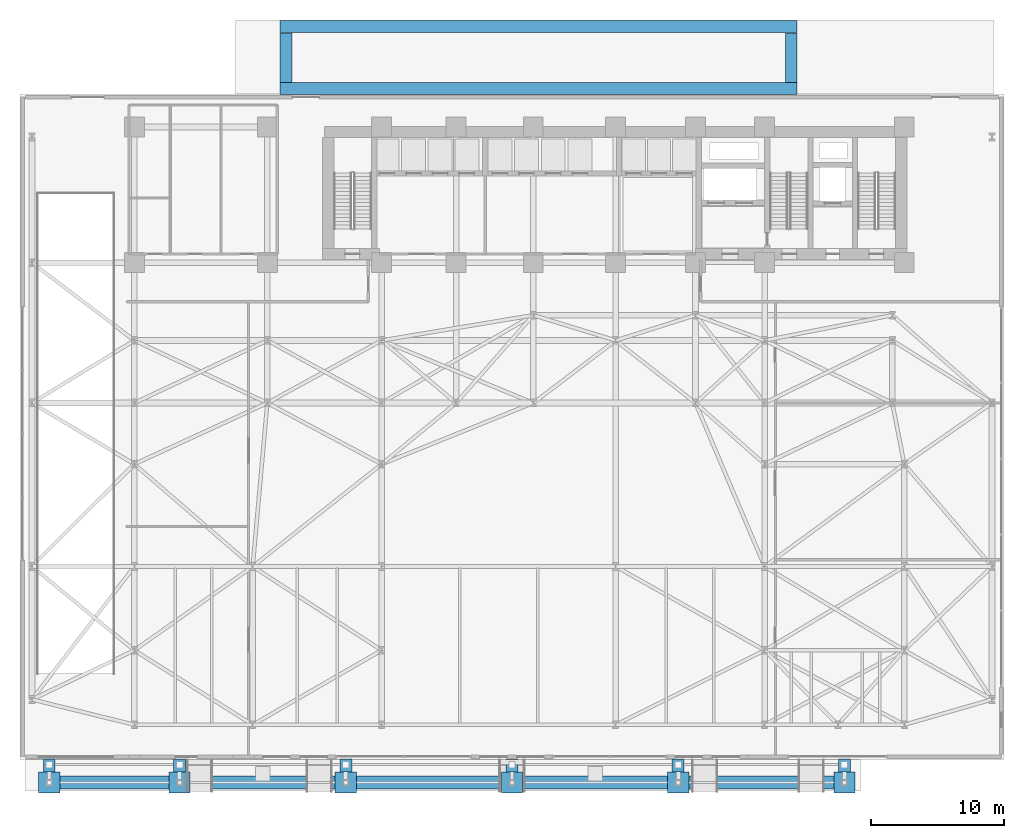
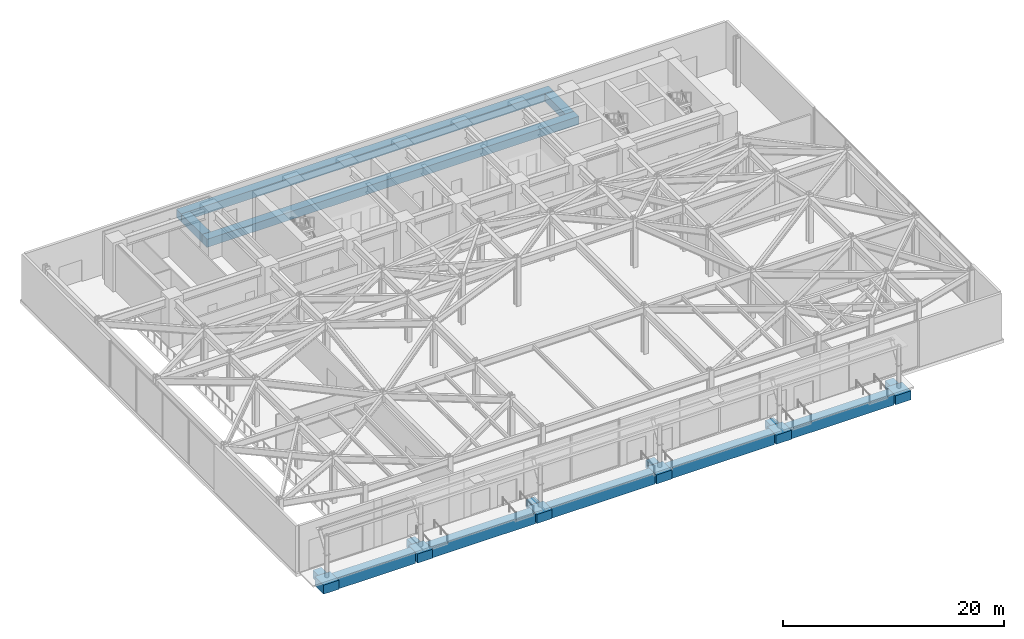
# One storey, part 1 of 31: 21 footings.
"""IFC4 building model written with IfcOpenShell, lengths in metres."""

from ifc_helpers import new_model, si_unit, direction, frame, origin, origin_2d, place, context, subcontext, project, spatial, polyline, rectangle, outline, extrude, material, layer, layer_set, material_profile, profile_set, type_object, element, save


model = new_model("IFC4")

# Units and contexts
model_context = context("Model", 3, precision=1e-05, world=origin(), true_north=direction((0.0, 1.0)))
body_context = subcontext(model_context, "Body", "Model", "MODEL_VIEW")
ifc_project = project(units=[si_unit("LENGTHUNIT", "METRE"), si_unit("AREAUNIT", "SQUARE_METRE"), si_unit("VOLUMEUNIT", "CUBIC_METRE"), si_unit("PLANEANGLEUNIT", "RADIAN"), si_unit("MASSUNIT", "GRAM", prefix="KILO")], contexts=[model_context])

# Site, building, storey
site_placement = place(None, origin())
site = spatial("IfcSite", under=ifc_project, at=site_placement, CompositionType="ELEMENT")
building_placement = place(site_placement, origin())
building = spatial("IfcBuilding", under=site, at=building_placement, Name="Kravanh Interchange Tower", CompositionType="ELEMENT")
storey_placement = place(building_placement, origin())
storey = spatial("IfcBuildingStorey", under=building, at=storey_placement, Name="L00", CompositionType="ELEMENT", Elevation=0.0)

# Footings
ifc_material_1 = material(Name="Concrete C60/75", Category="concrete")
ifc_layer = layer(ifc_material_1, 1.0)
ifc_layer_set = layer_set([ifc_layer], Name="Canopy Pad Footing Concrete C60/75 1600x1600x1000")
footing_type_1 = type_object("IfcFootingType", Name="Canopy Pad Footing Concrete C60/75 1600x1600x1000", PredefinedType="PAD_FOOTING", material=ifc_layer_set)
footing_1_placement = place(storey_placement, frame((0.0, 0.0, -1.199951171875)))
element("IfcFooting", 1, at=footing_1_placement, inside=storey, type_object=footing_type_1, Name="Transit Canopy Pad Footing 1", PredefinedType="PAD_FOOTING", context=body_context, shape_type="SweptSolid", body=[
    extrude(outline(polyline([(1.39990234375, -2.550048828125), (3.0, -2.550048828125), (3.0, -0.949951171875), (1.39990234375, -0.949951171875), (1.39990234375, -2.550048828125)])), origin(), (0.0, 0.0, 1.0), 1.0),
])
footing_2_placement = place(storey_placement, frame((0.0, 0.0, -1.199951171875)))
element("IfcFooting", 2, at=footing_2_placement, inside=storey, type_object=footing_type_1, Name="Transit Canopy Pad Footing 2", PredefinedType="PAD_FOOTING", context=body_context, shape_type="SweptSolid", body=[
    extrude(outline(polyline([(11.199951171875, -2.550048828125), (12.800048828125, -2.550048828125), (12.800048828125, -0.949951171875), (11.199951171875, -0.949951171875), (11.199951171875, -2.550048828125)])), origin(), (0.0, 0.0, 1.0), 1.0),
])
footing_3_placement = place(storey_placement, frame((0.0, 0.0, -1.199951171875)))
element("IfcFooting", 3, at=footing_3_placement, inside=storey, type_object=footing_type_1, Name="Transit Canopy Pad Footing 3", PredefinedType="PAD_FOOTING", context=body_context, shape_type="SweptSolid", body=[
    extrude(outline(polyline([(23.699951171875, -2.550048828125), (25.300048828125, -2.550048828125), (25.300048828125, -0.949951171875), (23.699951171875, -0.949951171875), (23.699951171875, -2.550048828125)])), origin(), (0.0, 0.0, 1.0), 1.0),
])
footing_4_placement = place(storey_placement, frame((0.0, 0.0, -1.199951171875)))
element("IfcFooting", 4, at=footing_4_placement, inside=storey, type_object=footing_type_1, Name="Transit Canopy Pad Footing 4", PredefinedType="PAD_FOOTING", context=body_context, shape_type="SweptSolid", body=[
    extrude(outline(polyline([(36.199951171875, -2.550048828125), (37.800048828125, -2.550048828125), (37.800048828125, -0.949951171875), (36.199951171875, -0.949951171875), (36.199951171875, -2.550048828125)])), origin(), (0.0, 0.0, 1.0), 1.0),
])
footing_5_placement = place(storey_placement, frame((0.0, 0.0, -1.199951171875)))
element("IfcFooting", 5, at=footing_5_placement, inside=storey, type_object=footing_type_1, Name="Transit Canopy Pad Footing 5", PredefinedType="PAD_FOOTING", context=body_context, shape_type="SweptSolid", body=[
    extrude(outline(polyline([(48.699951171875, -2.550048828125), (50.300048828125, -2.550048828125), (50.300048828125, -0.949951171875), (48.699951171875, -0.949951171875), (48.699951171875, -2.550048828125)])), origin(), (0.0, 0.0, 1.0), 1.0),
])
footing_6_placement = place(storey_placement, frame((0.0, 0.0, -1.199951171875)))
element("IfcFooting", 6, at=footing_6_placement, inside=storey, type_object=footing_type_1, Name="Transit Canopy Pad Footing 6", PredefinedType="PAD_FOOTING", context=body_context, shape_type="SweptSolid", body=[
    extrude(outline(polyline([(61.199951171875, -2.550048828125), (62.800048828125, -2.550048828125), (62.800048828125, -0.949951171875), (61.199951171875, -0.949951171875), (61.199951171875, -2.550048828125)])), origin(), (0.0, 0.0, 1.0), 1.0),
])
ifc_material_2 = material(Name="Concrete C60/75", Category="concrete")
ifc_material_profile_1 = material_profile(ifc_material_2, rectangle(XDim=0.89990234375, YDim=0.89990234375, at=origin_2d()), Name="RC900X900")
ifc_profile_set_1 = profile_set([ifc_material_profile_1], Name="Concrete C60/75")
footing_type_2 = type_object("IfcFootingType", Name="Canopy Tie Beam Concrete C60/75 900x900", PredefinedType="FOOTING_BEAM", material=ifc_profile_set_1)
footing_7_placement = place(storey_placement, frame((0.0, 0.0, -1.10009765625)))
element("IfcFooting", 7, at=footing_7_placement, inside=storey, type_object=footing_type_2, Name="Transit Canopy Tie Beam GBR-1", PredefinedType="FOOTING_BEAM", context=body_context, shape_type="SweptSolid", body=[
    extrude(outline(polyline([(1.75, -0.949951171875), (2.64990234375, -0.949951171875), (2.64990234375, 0.02001953125), (1.75, 0.02001953125), (1.75, -0.949951171875)])), origin(), (0.0, 0.0, 1.0), 0.900146484375),
])
footing_8_placement = place(storey_placement, frame((0.0, 0.0, -1.10009765625)))
element("IfcFooting", 8, at=footing_8_placement, inside=storey, type_object=footing_type_2, Name="Transit Canopy Tie Beam GBR-2", PredefinedType="FOOTING_BEAM", context=body_context, shape_type="SweptSolid", body=[
    extrude(outline(polyline([(11.550048828125, -0.949951171875), (12.449951171875, -0.949951171875), (12.449951171875, 0.02001953125), (11.550048828125, 0.02001953125), (11.550048828125, -0.949951171875)])), origin(), (0.0, 0.0, 1.0), 0.900146484375),
])
footing_9_placement = place(storey_placement, frame((0.0, 0.0, -1.10009765625)))
element("IfcFooting", 9, at=footing_9_placement, inside=storey, type_object=footing_type_2, Name="Transit Canopy Tie Beam GBR-3", PredefinedType="FOOTING_BEAM", context=body_context, shape_type="SweptSolid", body=[
    extrude(outline(polyline([(24.050048828125, -0.949951171875), (24.949951171875, -0.949951171875), (24.949951171875, 0.02001953125), (24.050048828125, 0.02001953125), (24.050048828125, -0.949951171875)])), origin(), (0.0, 0.0, 1.0), 0.900146484375),
])
footing_10_placement = place(storey_placement, frame((0.0, 0.0, -1.10009765625)))
element("IfcFooting", 10, at=footing_10_placement, inside=storey, type_object=footing_type_2, Name="Transit Canopy Tie Beam GBR-4", PredefinedType="FOOTING_BEAM", context=body_context, shape_type="SweptSolid", body=[
    extrude(outline(polyline([(36.550048828125, -0.949951171875), (37.449951171875, -0.949951171875), (37.449951171875, 0.02001953125), (36.550048828125, 0.02001953125), (36.550048828125, -0.949951171875)])), origin(), (0.0, 0.0, 1.0), 0.900146484375),
])
footing_11_placement = place(storey_placement, frame((0.0, 0.0, -1.10009765625)))
element("IfcFooting", 11, at=footing_11_placement, inside=storey, type_object=footing_type_2, Name="Transit Canopy Tie Beam GBR-5", PredefinedType="FOOTING_BEAM", context=body_context, shape_type="SweptSolid", body=[
    extrude(outline(polyline([(49.050048828125, -0.949951171875), (49.949951171875, -0.949951171875), (49.949951171875, 0.02001953125), (49.050048828125, 0.02001953125), (49.050048828125, -0.949951171875)])), origin(), (0.0, 0.0, 1.0), 0.900146484375),
])
footing_12_placement = place(storey_placement, frame((0.0, 0.0, -1.10009765625)))
element("IfcFooting", 12, at=footing_12_placement, inside=storey, type_object=footing_type_2, Name="Transit Canopy Tie Beam GBR-6", PredefinedType="FOOTING_BEAM", context=body_context, shape_type="SweptSolid", body=[
    extrude(outline(polyline([(61.550048828125, -0.949951171875), (62.449951171875, -0.949951171875), (62.449951171875, 0.02001953125), (61.550048828125, 0.02001953125), (61.550048828125, -0.949951171875)])), origin(), (0.0, 0.0, 1.0), 0.900146484375),
])
footing_13_placement = place(storey_placement, frame((0.0, 0.0, -1.10009765625)))
element("IfcFooting", 13, at=footing_13_placement, inside=storey, type_object=footing_type_2, Name="North Forecourt Inner Ground Beam", PredefinedType="FOOTING_BEAM", context=body_context, shape_type="SweptSolid", body=[
    extrude(outline(polyline([(19.550048828125, 50.0), (58.449951171875, 50.0), (58.449951171875, 50.89990234375), (19.550048828125, 50.89990234375), (19.550048828125, 50.0)])), origin(), (0.0, 0.0, 1.0), 0.900146484375),
])
footing_14_placement = place(storey_placement, frame((0.0, 0.0, -1.10009765625)))
element("IfcFooting", 14, at=footing_14_placement, inside=storey, type_object=footing_type_2, Name="North Forecourt Outer Ground Beam", PredefinedType="FOOTING_BEAM", context=body_context, shape_type="SweptSolid", body=[
    extrude(outline(polyline([(19.550048828125, 54.64990234375), (58.449951171875, 54.64990234375), (58.449951171875, 55.550048828125), (19.550048828125, 55.550048828125), (19.550048828125, 54.64990234375)])), origin(), (0.0, 0.0, 1.0), 0.900146484375),
])
footing_15_placement = place(storey_placement, frame((0.0, 0.0, -1.10009765625)))
element("IfcFooting", 15, at=footing_15_placement, inside=storey, type_object=footing_type_2, Name="North Forecourt Cross Ground Beam West", PredefinedType="FOOTING_BEAM", context=body_context, shape_type="SweptSolid", body=[
    extrude(outline(polyline([(19.550048828125, 50.909912109375), (20.449951171875, 50.909912109375), (20.449951171875, 54.639892578125), (19.550048828125, 54.639892578125), (19.550048828125, 50.909912109375)])), origin(), (0.0, 0.0, 1.0), 0.900146484375),
])
footing_16_placement = place(storey_placement, frame((0.0, 0.0, -1.10009765625)))
element("IfcFooting", 16, at=footing_16_placement, inside=storey, type_object=footing_type_2, Name="North Forecourt Cross Ground Beam East", PredefinedType="FOOTING_BEAM", context=body_context, shape_type="SweptSolid", body=[
    extrude(outline(polyline([(57.550048828125, 50.909912109375), (58.449951171875, 50.909912109375), (58.449951171875, 54.639892578125), (57.550048828125, 54.639892578125), (57.550048828125, 50.909912109375)])), origin(), (0.0, 0.0, 1.0), 0.900146484375),
])
ifc_material_3 = material(Name="Concrete C60/75", Category="concrete")
ifc_material_profile_2 = material_profile(ifc_material_3, rectangle(XDim=1.0, YDim=1.199951171875, at=origin_2d()), Name="RC1000X1200")
ifc_profile_set_2 = profile_set([ifc_material_profile_2], Name="Concrete C60/75")
footing_type_3 = type_object("IfcFootingType", Name="Perimeter Ground Beam Concrete C60/75 1000x1200", PredefinedType="FOOTING_BEAM", material=ifc_profile_set_2)
footing_17_placement = place(storey_placement, frame((0.0, 0.0, -1.39990234375)))
element("IfcFooting", 17, at=footing_17_placement, inside=storey, type_object=footing_type_3, Name="Transit Canopy Ground Beam GB-1", PredefinedType="FOOTING_BEAM", context=body_context, shape_type="SweptSolid", body=[
    extrude(outline(polyline([(3.0, -2.25), (11.199951171875, -2.25), (11.199951171875, -1.25), (3.0, -1.25), (3.0, -2.25)])), origin(), (0.0, 0.0, 1.0), 1.199951171875),
])
footing_18_placement = place(storey_placement, frame((0.0, 0.0, -1.39990234375)))
element("IfcFooting", 18, at=footing_18_placement, inside=storey, type_object=footing_type_3, Name="Transit Canopy Ground Beam GB-2", PredefinedType="FOOTING_BEAM", context=body_context, shape_type="SweptSolid", body=[
    extrude(outline(polyline([(12.800048828125, -2.25), (23.699951171875, -2.25), (23.699951171875, -1.25), (12.800048828125, -1.25), (12.800048828125, -2.25)])), origin(), (0.0, 0.0, 1.0), 1.199951171875),
])
footing_19_placement = place(storey_placement, frame((0.0, 0.0, -1.39990234375)))
element("IfcFooting", 19, at=footing_19_placement, inside=storey, type_object=footing_type_3, Name="Transit Canopy Ground Beam GB-3", PredefinedType="FOOTING_BEAM", context=body_context, shape_type="SweptSolid", body=[
    extrude(outline(polyline([(25.300048828125, -2.25), (36.199951171875, -2.25), (36.199951171875, -1.25), (25.300048828125, -1.25), (25.300048828125, -2.25)])), origin(), (0.0, 0.0, 1.0), 1.199951171875),
])
footing_20_placement = place(storey_placement, frame((0.0, 0.0, -1.39990234375)))
element("IfcFooting", 20, at=footing_20_placement, inside=storey, type_object=footing_type_3, Name="Transit Canopy Ground Beam GB-4", PredefinedType="FOOTING_BEAM", context=body_context, shape_type="SweptSolid", body=[
    extrude(outline(polyline([(37.800048828125, -2.25), (48.699951171875, -2.25), (48.699951171875, -1.25), (37.800048828125, -1.25), (37.800048828125, -2.25)])), origin(), (0.0, 0.0, 1.0), 1.199951171875),
])
footing_21_placement = place(storey_placement, frame((0.0, 0.0, -1.39990234375)))
element("IfcFooting", 21, at=footing_21_placement, inside=storey, type_object=footing_type_3, Name="Transit Canopy Ground Beam GB-5", PredefinedType="FOOTING_BEAM", context=body_context, shape_type="SweptSolid", body=[
    extrude(outline(polyline([(50.300048828125, -2.25), (61.199951171875, -2.25), (61.199951171875, -1.25), (50.300048828125, -1.25), (50.300048828125, -2.25)])), origin(), (0.0, 0.0, 1.0), 1.199951171875),
])

save(model, "model.ifc")
